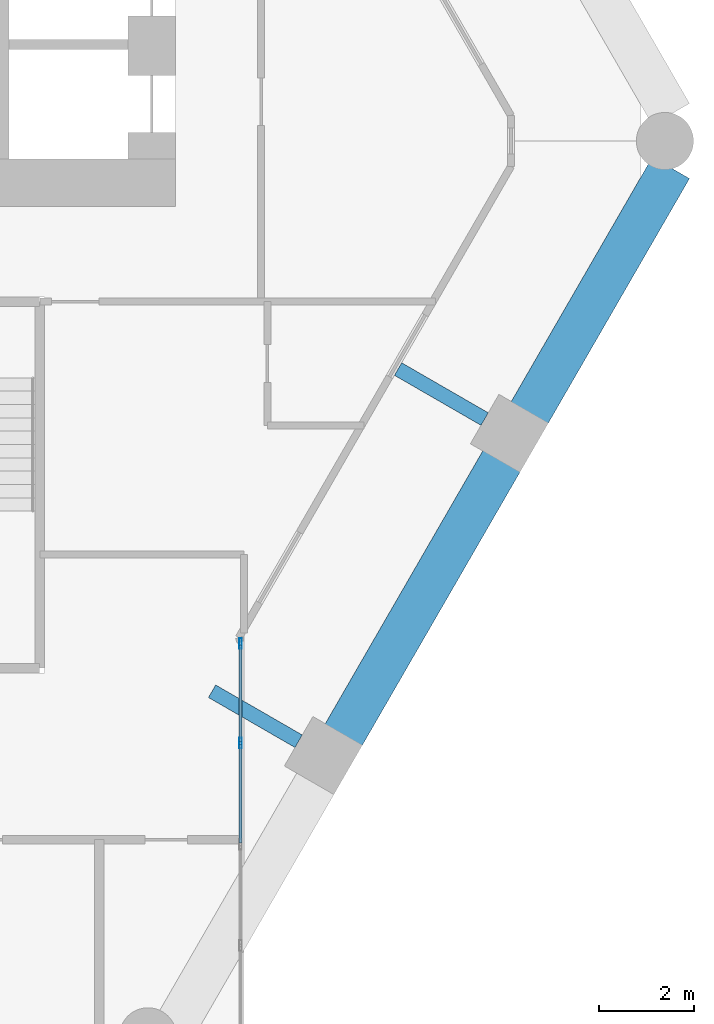
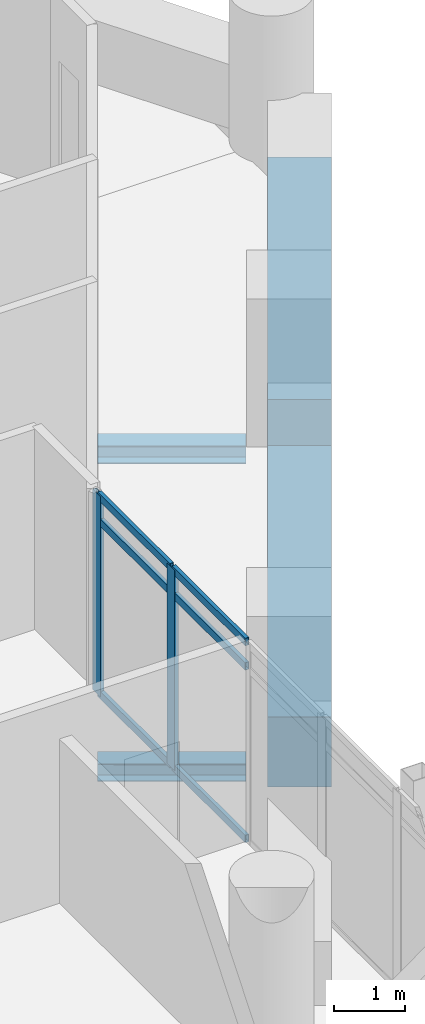
# One storey, part 11 of 28: 8 members, 4 beams, 1 element without a shape of its own.
"""IFC4 building model written with IfcOpenShell, lengths in metres."""

from ifc_helpers import new_model, si_unit, direction, frame, origin, origin_2d, place, context, subcontext, project, spatial, rectangle, hollow_rectangle, i_section, extrude, material, material_profile, profile_set, type_object, element, aggregate, save


model = new_model("IFC4")

# Units and contexts
model_context = context("Model", 3, precision=1e-05, world=origin(), true_north=direction((0.0, 1.0)))
body_context = subcontext(model_context, "Body", "Model", "MODEL_VIEW")
ifc_project = project(units=[si_unit("LENGTHUNIT", "METRE"), si_unit("AREAUNIT", "SQUARE_METRE"), si_unit("VOLUMEUNIT", "CUBIC_METRE"), si_unit("PLANEANGLEUNIT", "RADIAN"), si_unit("MASSUNIT", "GRAM", prefix="KILO")], contexts=[model_context])

# Site, building, storey
site_placement = place(None, origin())
site = spatial("IfcSite", under=ifc_project, at=site_placement, CompositionType="ELEMENT")
building_placement = place(site_placement, origin())
building = spatial("IfcBuilding", under=site, at=building_placement, Name="Ostrander Bayou Hotel Tower", CompositionType="ELEMENT")
storey_placement = place(building_placement, frame((0.0, 0.0, 104.25)))
storey = spatial("IfcBuildingStorey", under=building, at=storey_placement, Name="L26", CompositionType="ELEMENT", Elevation=104.25)

# Curtain wall, members
ifc_material_1 = material(Name="Aluminium and clear glass", Category="aluminium")
curtain_wall_type = type_object("IfcCurtainWallType", Name="CW-BAR glazed wall", PredefinedType="NOTDEFINED", material=ifc_material_1)
curtain_wall_placement = place(storey_placement, origin())
curtain_wall = element("IfcCurtainWall", 1, at=curtain_wall_placement, inside=storey, type_object=curtain_wall_type, Name="CW-BAR L26:SB2S:W", PredefinedType="NOTDEFINED")
ifc_material_2 = material(Name="Aluminium", Category="aluminium")
ifc_material_profile_1 = material_profile(ifc_material_2, hollow_rectangle(XDim=0.06005859375, YDim=0.219970703125, WallThickness=0.00390625, at=origin_2d()))
ifc_profile_set_1 = profile_set([ifc_material_profile_1], Name="Aluminium")
member_type_1 = type_object("IfcMemberType", Name="CW-BR mullion 60 x 220 mm", PredefinedType="MULLION", material=ifc_profile_set_1)
member_1_placement = place(storey_placement, frame((13.3671875, -10.877197265625, 0.0), z_axis=(0.0, 0.0, 1.0), x_axis=(1.0, 0.0, 0.0)))
member_1 = element("IfcMember", 2, at=member_1_placement, type_object=member_type_1, Name="CW-BAR mullion 1", PredefinedType="MULLION", context=body_context, shape_type="SweptSolid", body=[
    extrude(hollow_rectangle(XDim=0.06005859375, YDim=0.219970703125, WallThickness=0.00390625, at=origin_2d()), origin(), (0.0, 0.0, 1.0), 3.449951171875),
])
member_2_placement = place(storey_placement, frame((13.3671875, -12.972412109375, 0.0), z_axis=(0.0, 0.0, 1.0), x_axis=(1.0, 0.0, 0.0)))
member_2 = element("IfcMember", 3, at=member_2_placement, type_object=member_type_1, Name="CW-BAR mullion 2", PredefinedType="MULLION", context=body_context, shape_type="SweptSolid", body=[
    extrude(hollow_rectangle(XDim=0.06005859375, YDim=0.219970703125, WallThickness=0.00390625, at=origin_2d()), origin(), (0.0, 0.0, 1.0), 3.449951171875),
])
ifc_material_3 = material(Name="Aluminium", Category="aluminium")
ifc_material_profile_2 = material_profile(ifc_material_3, hollow_rectangle(XDim=0.06005859375, YDim=0.1298828125, WallThickness=0.00390625, at=origin_2d()))
ifc_profile_set_2 = profile_set([ifc_material_profile_2], Name="Aluminium")
member_type_2 = type_object("IfcMemberType", Name="CW-BR transom 60 x 130 mm", PredefinedType="USERDEFINED", material=ifc_profile_set_2)
member_3_placement = place(storey_placement, frame((13.3671875, -10.9072265625, 0.030029296875), z_axis=(0.0, -1.0, 0.0), x_axis=(1.0, 0.0, 0.0)))
member_3 = element("IfcMember", 4, at=member_3_placement, type_object=member_type_2, Name="CW-BAR transom 1.1", ObjectType="TRANSOM", PredefinedType="USERDEFINED", context=body_context, shape_type="SweptSolid", body=[
    extrude(hollow_rectangle(XDim=0.06005859375, YDim=0.1298828125, WallThickness=0.00390625, at=origin_2d()), origin(), (0.0, 0.0, 1.0), 2.03515625),
])
member_4_placement = place(storey_placement, frame((13.3671875, -10.9072265625, 3.0), z_axis=(0.0, -1.0, 0.0), x_axis=(1.0, 0.0, 0.0)))
member_4 = element("IfcMember", 5, at=member_4_placement, type_object=member_type_2, Name="CW-BAR transom 1.2", ObjectType="TRANSOM", PredefinedType="USERDEFINED", context=body_context, shape_type="SweptSolid", body=[
    extrude(hollow_rectangle(XDim=0.06005859375, YDim=0.1298828125, WallThickness=0.00390625, at=origin_2d()), origin(), (0.0, 0.0, 1.0), 2.03515625),
])
member_5_placement = place(storey_placement, frame((13.3671875, -10.9072265625, 3.419921875), z_axis=(0.0, -1.0, 0.0), x_axis=(1.0, 0.0, 0.0)))
member_5 = element("IfcMember", 6, at=member_5_placement, type_object=member_type_2, Name="CW-BAR transom 1.3", ObjectType="TRANSOM", PredefinedType="USERDEFINED", context=body_context, shape_type="SweptSolid", body=[
    extrude(hollow_rectangle(XDim=0.06005859375, YDim=0.1298828125, WallThickness=0.00390625, at=origin_2d()), origin(), (0.0, 0.0, 1.0), 2.03515625),
])
member_6_placement = place(storey_placement, frame((13.3671875, -13.00244140625, 0.030029296875), z_axis=(0.0, -1.0, 0.0), x_axis=(1.0, 0.0, 0.0)))
member_6 = element("IfcMember", 7, at=member_6_placement, type_object=member_type_2, Name="CW-BAR transom 2.1", ObjectType="TRANSOM", PredefinedType="USERDEFINED", context=body_context, shape_type="SweptSolid", body=[
    extrude(hollow_rectangle(XDim=0.06005859375, YDim=0.1298828125, WallThickness=0.00390625, at=origin_2d()), origin(), (0.0, 0.0, 1.0), 2.06494140625),
])
member_7_placement = place(storey_placement, frame((13.3671875, -13.00244140625, 3.0), z_axis=(0.0, -1.0, 0.0), x_axis=(1.0, 0.0, 0.0)))
member_7 = element("IfcMember", 8, at=member_7_placement, type_object=member_type_2, Name="CW-BAR transom 2.2", ObjectType="TRANSOM", PredefinedType="USERDEFINED", context=body_context, shape_type="SweptSolid", body=[
    extrude(hollow_rectangle(XDim=0.06005859375, YDim=0.1298828125, WallThickness=0.00390625, at=origin_2d()), origin(), (0.0, 0.0, 1.0), 2.06494140625),
])
member_8_placement = place(storey_placement, frame((13.3671875, -13.00244140625, 3.419921875), z_axis=(0.0, -1.0, 0.0), x_axis=(1.0, 0.0, 0.0)))
member_8 = element("IfcMember", 9, at=member_8_placement, type_object=member_type_2, Name="CW-BAR transom 2.3", ObjectType="TRANSOM", PredefinedType="USERDEFINED", context=body_context, shape_type="SweptSolid", body=[
    extrude(hollow_rectangle(XDim=0.06005859375, YDim=0.1298828125, WallThickness=0.00390625, at=origin_2d()), origin(), (0.0, 0.0, 1.0), 2.06494140625),
])
aggregate(curtain_wall, [member_1, member_2, member_3, member_4, member_5, member_6, member_7, member_8])

# Beams
ifc_material_4 = material(Name="Steel ASTM A992", Category="steel")
ifc_material_profile_3 = material_profile(ifc_material_4, i_section(OverallWidth=0.3046875, OverallDepth=0.307861328125, WebThickness=0.010009765625, FlangeThickness=0.015380859375, at=origin_2d()))
ifc_profile_set_3 = profile_set([ifc_material_profile_3], Name="Steel ASTM A992")
beam_type_1 = type_object("IfcBeamType", Name="LB1 loggia bracket W12x65", PredefinedType="BEAM", material=ifc_profile_set_3)
for number, where, z_axis, x_axis, name in (
    (10, (14.587646484375, -12.933349609375, -0.453857421875), (-0.866009402589, 0.500027713859, 0.0), (-0.500027713859, -0.866009402589, 0.0), "LB1 L26 SE1"),
    (11, (18.494384765625, -6.166748046875, -0.453857421875), (-0.866009402589, 0.500027713859, 0.0), (-0.500027713859, -0.866009402589, 0.0), "LB1 L26 SE2"),
):
    element("IfcBeam", number, at=place(storey_placement, frame(where, z_axis=z_axis, x_axis=x_axis)), inside=storey, type_object=beam_type_1, Name=name, PredefinedType="BEAM", context=body_context, shape_type="SweptSolid", body=[
        extrude(i_section(OverallWidth=0.3046875, OverallDepth=0.307861328125, WebThickness=0.010009765625, FlangeThickness=0.015380859375, at=origin_2d()), origin(), (0.0, 0.0, 1.0), 2.10009765625),
    ])
ifc_material_5 = material(Name="Concrete f'c 70 MPa", Category="concrete")
ifc_material_profile_4 = material_profile(ifc_material_5, rectangle(XDim=0.89990234375, YDim=1.199951171875, at=origin_2d()))
ifc_profile_set_4 = profile_set([ifc_material_profile_4], Name="Concrete f'c 70 MPa")
beam_type_2 = type_object("IfcBeamType", Name="SP2 spandrel beam 900 x 1200 mm f'c 70 MPa", PredefinedType="SPANDREL", material=ifc_profile_set_4)
beam_1_placement = place(storey_placement, frame((15.522216796875, -12.814697265625, -0.60009765625), z_axis=(0.499999023957, 0.866025967302, 0.0), x_axis=(-0.866025967302, 0.499999023957, 0.0)))
element("IfcBeam", 12, at=beam_1_placement, inside=storey, type_object=beam_type_2, Name="SP2 L26 SE-2", PredefinedType="SPANDREL", context=body_context, shape_type="SweptSolid", body=[
    extrude(rectangle(XDim=0.89990234375, YDim=1.199951171875, at=origin_2d()), origin(), (0.0, 0.0, 1.0), 6.67333984375),
])
beam_2_placement = place(storey_placement, frame((19.428955078125, -6.048095703125, -0.60009765625), z_axis=(0.500001626982, 0.866024464444, 0.0), x_axis=(-0.866024464444, 0.500001626982, 0.0)))
element("IfcBeam", 13, at=beam_2_placement, inside=storey, type_object=beam_type_2, Name="SP2 L26 SE-3", PredefinedType="SPANDREL", context=body_context, shape_type="SweptSolid", body=[
    extrude(rectangle(XDim=0.89990234375, YDim=1.199951171875, at=origin_2d()), origin(), (0.0, 0.0, 1.0), 5.955078125),
])

save(model, "model.ifc")
